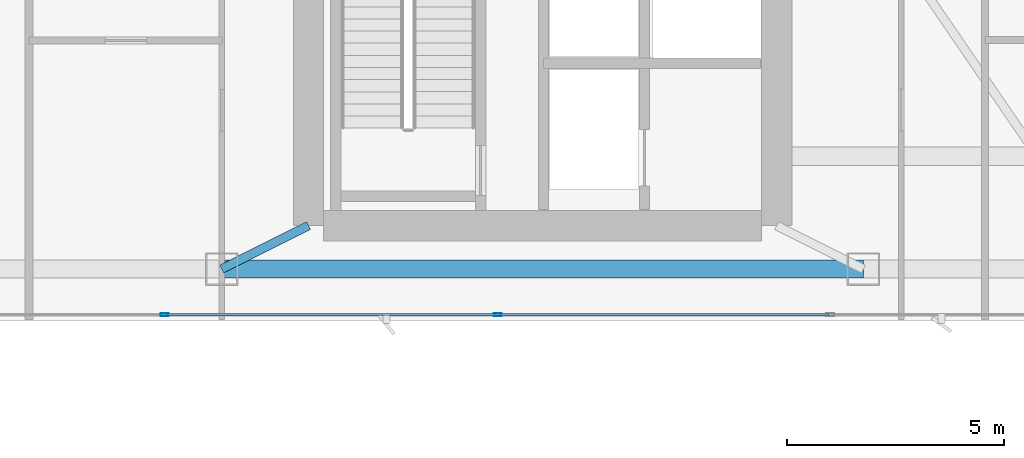
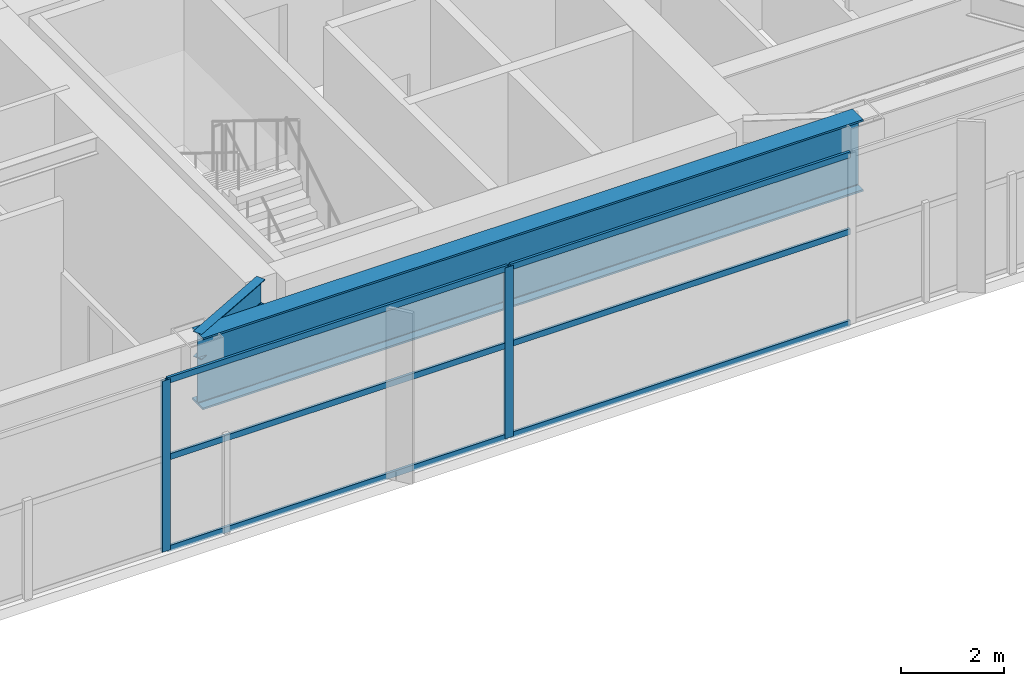
# One storey, part 6 of 29: 8 members, 2 beams, 1 element without a shape of its own.
"""IFC4 building model written with IfcOpenShell, lengths in metres."""

from ifc_helpers import new_model, si_unit, direction, frame, origin, origin_2d, place, context, subcontext, project, spatial, hollow_rectangle, i_section, extrude, material, layer, layer_set, material_profile, profile_set, type_object, element, aggregate, save


model = new_model("IFC4")

# Units and contexts
model_context = context("Model", 3, precision=1e-05, world=origin(), true_north=direction((0.0, 1.0)))
body_context = subcontext(model_context, "Body", "Model", "MODEL_VIEW")
ifc_project = project(units=[si_unit("LENGTHUNIT", "METRE"), si_unit("AREAUNIT", "SQUARE_METRE"), si_unit("VOLUMEUNIT", "CUBIC_METRE"), si_unit("PLANEANGLEUNIT", "RADIAN"), si_unit("MASSUNIT", "GRAM", prefix="KILO")], contexts=[model_context])

# Site, building, storey
site_placement = place(None, origin())
site = spatial("IfcSite", under=ifc_project, at=site_placement, CompositionType="ELEMENT")
building_placement = place(site_placement, origin())
building = spatial("IfcBuilding", under=site, at=building_placement, Name="Calvorn Quay Hotel", CompositionType="ELEMENT")
storey_placement = place(building_placement, frame((0.0, 0.0, 214.800048828125)))
storey = spatial("IfcBuildingStorey", under=building, at=storey_placement, Name="L53", CompositionType="ELEMENT", Elevation=214.800048828125)

# Beams
ifc_material_1 = material(Name="Steel Q355B", Category="steel")
ifc_material_profile_1 = material_profile(ifc_material_1, i_section(OverallWidth=0.199951171875, OverallDepth=0.60009765625, WebThickness=0.010986328125, FlangeThickness=0.01708984375, FilletRadius=0.01806640625, at=origin_2d()), Name="HN600x200x11x17")
ifc_profile_set_1 = profile_set([ifc_material_profile_1], Name="Steel Q355B")
beam_type_1 = type_object("IfcBeamType", Name="BM-GIRD-TYP", PredefinedType="BEAM", material=ifc_profile_set_1)
beam_1_placement = place(storey_placement, frame((19.60009765625, 3.60009765625, 3.75), z_axis=(0.894427191, 0.4472135955, 0.0), x_axis=(-0.4472135955, 0.894427191, 0.0)))
element("IfcBeam", 1, at=beam_1_placement, inside=storey, type_object=beam_type_1, Name="Beam BG-L53-S2", PredefinedType="BEAM", context=body_context, shape_type="SweptSolid", body=[
    extrude(i_section(OverallWidth=0.199951171875, OverallDepth=0.60009765625, WebThickness=0.010986328125, FlangeThickness=0.01708984375, FilletRadius=0.01806640625, at=origin_2d()), origin(), (0.0, 0.0, 1.0), 2.236083984375),
])
ifc_material_2 = material(Name="Steel Q420GJC", Category="steel")
ifc_material_profile_2 = material_profile(ifc_material_2, i_section(OverallWidth=0.419921875, OverallDepth=1.699951171875, WebThickness=0.02392578125, FlangeThickness=0.0419921875, FilletRadius=0.02392578125, at=origin_2d()), Name="HN1700x420x24x42")
ifc_profile_set_2 = profile_set([ifc_material_profile_2], Name="Steel Q420GJC")
beam_type_2 = type_object("IfcBeamType", Name="BM-XFER-SAWTOOTH", PredefinedType="BEAM", material=ifc_profile_set_2)
beam_2_placement = place(storey_placement, frame((19.60009765625, 3.60009765625, 3.199951171875), z_axis=(1.0, 0.0, 0.0), x_axis=(0.0, 1.0, 0.0)))
element("IfcBeam", 2, at=beam_2_placement, inside=storey, type_object=beam_type_2, Name="Beam BSP-L53-S3", PredefinedType="BEAM", context=body_context, shape_type="SweptSolid", body=[
    extrude(i_section(OverallWidth=0.419921875, OverallDepth=1.699951171875, WebThickness=0.02392578125, FlangeThickness=0.0419921875, FilletRadius=0.02392578125, at=origin_2d()), origin(), (0.0, 0.0, 1.0), 14.7998046875),
])

# Curtain wall, members
ifc_material_3 = material(Name="Champagne Bronze Anodised Aluminium and Low-E Glass", Category="aluminium")
ifc_layer = layer(ifc_material_3, 0.219970703125)
ifc_layer_set = layer_set([ifc_layer], Name="CW-SYS-Z3")
curtain_wall_type = type_object("IfcCurtainWallType", Name="CW-SYS-Z3", PredefinedType="NOTDEFINED", material=ifc_layer_set)
curtain_wall_placement = place(storey_placement, origin())
curtain_wall = element("IfcCurtainWall", 3, at=curtain_wall_placement, inside=storey, type_object=curtain_wall_type, Name="Tower South Waterfront Curtain Wall (L53)", PredefinedType="NOTDEFINED")
ifc_material_4 = material(Name="Champagne Bronze Anodised Aluminium 6063-T6", Category="aluminium")
ifc_material_profile_3 = material_profile(ifc_material_4, hollow_rectangle(XDim=0.068115234375, YDim=0.18505859375, WallThickness=0.00390625, at=origin_2d()), Name="ALU-M185x68x4")
ifc_profile_set_3 = profile_set([ifc_material_profile_3], Name="Champagne Bronze Anodised Aluminium 6063-T6")
member_type_1 = type_object("IfcMemberType", Name="CW-SYS-Z3-MUL", PredefinedType="MULLION", material=ifc_profile_set_3)
member_1_placement = place(storey_placement, frame((18.280029296875, 2.550048828125, 0.0), z_axis=(0.0, 0.0, 1.0), x_axis=(0.0, 1.0, 0.0)))
member_1 = element("IfcMember", 4, at=member_1_placement, type_object=member_type_1, Name="CW-L53-S mullion 2", PredefinedType="MULLION", context=body_context, shape_type="SweptSolid", body=[
    extrude(hollow_rectangle(XDim=0.068115234375, YDim=0.18505859375, WallThickness=0.00390625, at=origin_2d()), origin(), (0.0, 0.0, 1.0), 4.050048828125),
])
member_2_placement = place(storey_placement, frame((25.9599609375, 2.550048828125, 0.0), z_axis=(0.0, 0.0, 1.0), x_axis=(0.0, 1.0, 0.0)))
member_2 = element("IfcMember", 5, at=member_2_placement, type_object=member_type_1, Name="CW-L53-S mullion 3", PredefinedType="MULLION", context=body_context, shape_type="SweptSolid", body=[
    extrude(hollow_rectangle(XDim=0.068115234375, YDim=0.18505859375, WallThickness=0.00390625, at=origin_2d()), origin(), (0.0, 0.0, 1.0), 4.050048828125),
])
ifc_material_5 = material(Name="Champagne Bronze Anodised Aluminium 6063-T6", Category="aluminium")
ifc_material_profile_4 = material_profile(ifc_material_5, hollow_rectangle(XDim=0.05810546875, YDim=0.139892578125, WallThickness=0.003173828125, at=origin_2d()), Name="ALU-T140x58x3.2")
ifc_profile_set_4 = profile_set([ifc_material_profile_4], Name="Champagne Bronze Anodised Aluminium 6063-T6")
member_type_2 = type_object("IfcMemberType", Name="CW-SYS-Z3-TRN", PredefinedType="USERDEFINED", material=ifc_profile_set_4)
member_3_placement = place(storey_placement, frame((18.31005859375, 2.550048828125, 0.030029296875), z_axis=(1.0, 0.0, 0.0), x_axis=(0.0, 1.0, 0.0)))
member_3 = element("IfcMember", 6, at=member_3_placement, type_object=member_type_2, Name="CW-L53-S transom 2.1", ObjectType="TRANSOM", PredefinedType="USERDEFINED", context=body_context, shape_type="SweptSolid", body=[
    extrude(hollow_rectangle(XDim=0.05810546875, YDim=0.139892578125, WallThickness=0.003173828125, at=origin_2d()), origin(), (0.0, 0.0, 1.0), 7.619873046875),
])
member_4_placement = place(storey_placement, frame((18.31005859375, 2.550048828125, 2.199951171875), z_axis=(1.0, 0.0, 0.0), x_axis=(0.0, 1.0, 0.0)))
member_4 = element("IfcMember", 7, at=member_4_placement, type_object=member_type_2, Name="CW-L53-S transom 2.2", ObjectType="TRANSOM", PredefinedType="USERDEFINED", context=body_context, shape_type="SweptSolid", body=[
    extrude(hollow_rectangle(XDim=0.05810546875, YDim=0.139892578125, WallThickness=0.003173828125, at=origin_2d()), origin(), (0.0, 0.0, 1.0), 7.619873046875),
])
member_5_placement = place(storey_placement, frame((18.31005859375, 2.550048828125, 4.02001953125), z_axis=(1.0, 0.0, 0.0), x_axis=(0.0, 1.0, 0.0)))
member_5 = element("IfcMember", 8, at=member_5_placement, type_object=member_type_2, Name="CW-L53-S transom 2.3", ObjectType="TRANSOM", PredefinedType="USERDEFINED", context=body_context, shape_type="SweptSolid", body=[
    extrude(hollow_rectangle(XDim=0.05810546875, YDim=0.139892578125, WallThickness=0.003173828125, at=origin_2d()), origin(), (0.0, 0.0, 1.0), 7.619873046875),
])
member_6_placement = place(storey_placement, frame((25.989990234375, 2.550048828125, 0.030029296875), z_axis=(1.0, 0.0, 0.0), x_axis=(0.0, 1.0, 0.0)))
member_6 = element("IfcMember", 9, at=member_6_placement, type_object=member_type_2, Name="CW-L53-S transom 3.1", ObjectType="TRANSOM", PredefinedType="USERDEFINED", context=body_context, shape_type="SweptSolid", body=[
    extrude(hollow_rectangle(XDim=0.05810546875, YDim=0.139892578125, WallThickness=0.003173828125, at=origin_2d()), origin(), (0.0, 0.0, 1.0), 7.6201171875),
])
member_7_placement = place(storey_placement, frame((25.989990234375, 2.550048828125, 2.199951171875), z_axis=(1.0, 0.0, 0.0), x_axis=(0.0, 1.0, 0.0)))
member_7 = element("IfcMember", 10, at=member_7_placement, type_object=member_type_2, Name="CW-L53-S transom 3.2", ObjectType="TRANSOM", PredefinedType="USERDEFINED", context=body_context, shape_type="SweptSolid", body=[
    extrude(hollow_rectangle(XDim=0.05810546875, YDim=0.139892578125, WallThickness=0.003173828125, at=origin_2d()), origin(), (0.0, 0.0, 1.0), 7.6201171875),
])
member_8_placement = place(storey_placement, frame((25.989990234375, 2.550048828125, 4.02001953125), z_axis=(1.0, 0.0, 0.0), x_axis=(0.0, 1.0, 0.0)))
member_8 = element("IfcMember", 11, at=member_8_placement, type_object=member_type_2, Name="CW-L53-S transom 3.3", ObjectType="TRANSOM", PredefinedType="USERDEFINED", context=body_context, shape_type="SweptSolid", body=[
    extrude(hollow_rectangle(XDim=0.05810546875, YDim=0.139892578125, WallThickness=0.003173828125, at=origin_2d()), origin(), (0.0, 0.0, 1.0), 7.6201171875),
])
aggregate(curtain_wall, [member_1, member_2, member_3, member_4, member_5, member_6, member_7, member_8])

save(model, "model.ifc")
